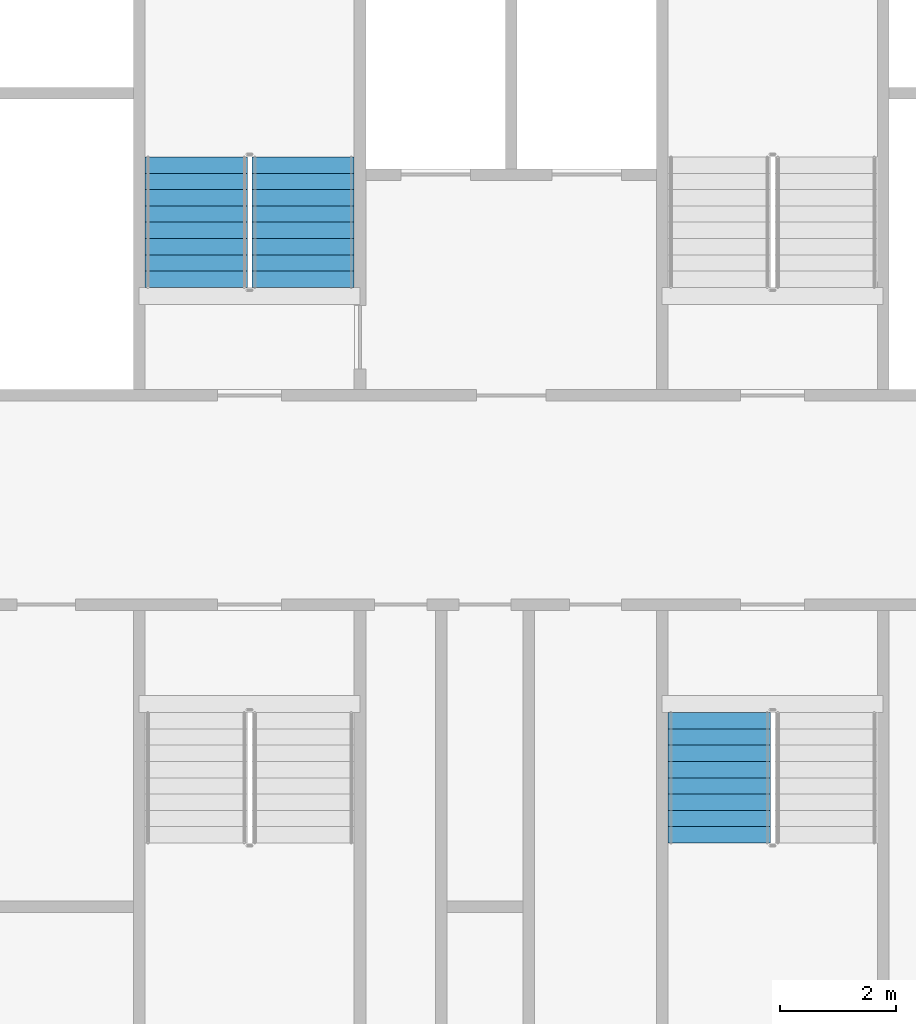
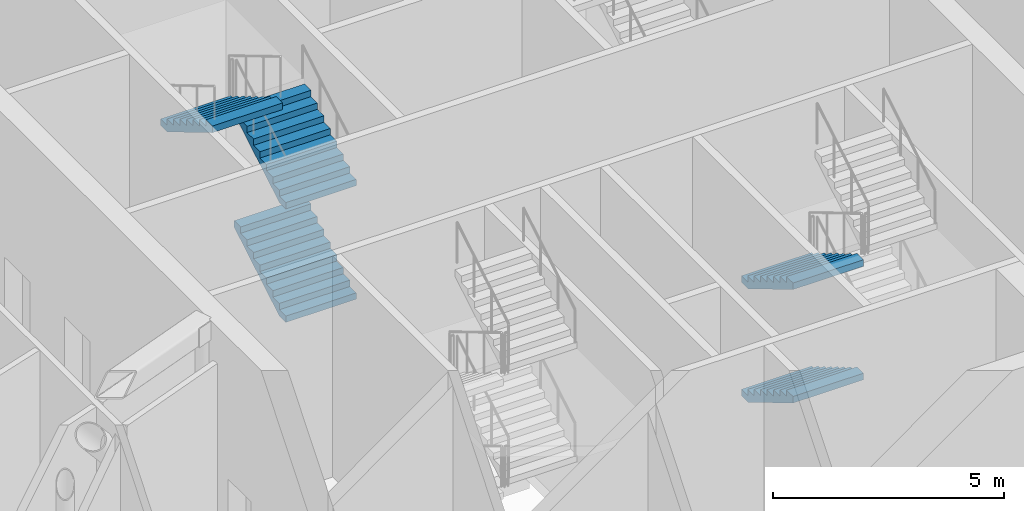
# One storey, part 26 of 40: 5 stair flights, 2 elements without a shape of their own.
"""IFC4 building model written with IfcOpenShell, lengths in metres."""

import ifcopenshell
import ifcopenshell.guid

model = None  # the IFC model being written
_history = None  # IfcOwnerHistory: only IFC2X3 demands one
_inside = {}  # id of a spatial element -> (the spatial element, [elements in it])
_under = {}  # id of a project, library or spatial element -> (it, [spatial elements below it])
_declared = {}  # id of a project -> (the project, [libraries it declares])
_typed = {}  # id of a type object -> (the type object, [elements of that type])
_made_of = {}  # id of a material, layer set ... -> (it, [elements and type objects made of it])


def new_model(schema):
    """Start an empty IFC model of exactly this schema.

    Asked for "IFC4X3", IfcOpenShell would pick the latest addendum, in which some entities
    have other attributes; the version numbers below select the first issue.
    IFC2X3 requires an IfcOwnerHistory on every rooted entity: one is made here for all.
    """
    global model, _history
    if schema == "IFC4X3":
        model = ifcopenshell.file(schema_version=(4, 3, 0, 0))
    else:
        model = ifcopenshell.file(schema=schema)
    _inside.clear()
    _under.clear()
    _declared.clear()
    _typed.clear()
    _made_of.clear()
    _history = None
    if model.schema == "IFC2X3":
        org = make("IfcOrganization", Name="unknown")
        user = make(
            "IfcPersonAndOrganization",
            ThePerson=make("IfcPerson", FamilyName="unknown"),
            TheOrganization=org,
        )
        app = make(
            "IfcApplication",
            ApplicationDeveloper=org,
            Version="unknown",
            ApplicationFullName="unknown",
            ApplicationIdentifier="unknown",
        )
        _history = make(
            "IfcOwnerHistory",
            OwningUser=user,
            OwningApplication=app,
            ChangeAction="ADDED",
            CreationDate=0,
        )
    return model


def make(cls, **values):
    """One entity of the class cls with the attributes given. An attribute that is None is left unset."""
    return model.create_entity(
        cls, **{name: value for name, value in values.items() if value is not None}
    )


def rooted(cls, **values):
    """An entity with a GlobalId (a new one), such as an element, a storey or a relation."""
    return make(cls, GlobalId=ifcopenshell.guid.new(), OwnerHistory=_history, **values)


def si_unit(unit_type, name, prefix=None):
    """IfcSIUnit, for example si_unit("LENGTHUNIT", "METRE", prefix="MILLI")."""
    return make("IfcSIUnit", UnitType=unit_type, Prefix=prefix, Name=name)


def assignment(units):
    """IfcUnitAssignment: the units of a project."""
    return None if units is None else make("IfcUnitAssignment", Units=units)


def point(xyz):
    """IfcCartesianPoint."""
    return None if xyz is None else make("IfcCartesianPoint", Coordinates=xyz)


def direction(xyz):
    """IfcDirection."""
    return None if xyz is None else make("IfcDirection", DirectionRatios=xyz)


def frame(location, z_axis=None, x_axis=None):
    """IfcAxis2Placement3D, a coordinate frame: its origin and axes. An axis left out is left unset."""
    return make(
        "IfcAxis2Placement3D",
        Location=point(location),
        Axis=direction(z_axis),
        RefDirection=direction(x_axis),
    )


def origin():
    """The frame at (0, 0, 0) with its axes left unset."""
    return frame((0.0, 0.0, 0.0))


def place(relative_to, where):
    """IfcLocalPlacement: puts the frame where relative to a parent placement (None: the world)."""
    return make(
        "IfcLocalPlacement", PlacementRelTo=relative_to, RelativePlacement=where
    )


def context(
    kind, dimensions, precision=None, world=None, true_north=None, identifier=None
):
    """IfcGeometricRepresentationContext, for example the 3D "Model" context."""
    return make(
        "IfcGeometricRepresentationContext",
        ContextIdentifier=identifier,
        ContextType=kind,
        CoordinateSpaceDimension=dimensions,
        Precision=precision,
        WorldCoordinateSystem=world,
        TrueNorth=true_north,
    )


def subcontext(parent, identifier, kind, view, scale=None):
    """IfcGeometricRepresentationSubContext, for example "Body" below "Model"."""
    return make(
        "IfcGeometricRepresentationSubContext",
        ContextIdentifier=identifier,
        ContextType=kind,
        ParentContext=parent,
        TargetScale=scale,
        TargetView=view,
    )


def project(units=None, contexts=None):
    """IfcProject with its units and contexts."""
    return rooted(
        "IfcProject",
        Name="project",
        RepresentationContexts=contexts,
        UnitsInContext=assignment(units),
    )


def spatial(cls, under=None, at=None, **own):
    """A site, building, storey or space (cls), placed at a placement, below another one or the project."""
    s = rooted(cls, ObjectPlacement=at, **own)
    if under is not None:
        _under.setdefault(under.id(), (under, []))[1].append(s)
    return s


def faces_of(points, faces, orient=None, outer=None):
    """IfcFace entities. A face is a list of loops; a loop is a list of indices into points, from 0.

    orient and outer hold one flag for each loop. By default every Orientation is true, the
    first loop of a face is its IfcFaceOuterBound and the others are IfcFaceBound.
    """
    made = []
    for i, loops in enumerate(faces):
        bounds = []
        for j, loop in enumerate(loops):
            is_outer = j == 0 if outer is None else outer[i][j]
            bounds.append(
                make(
                    "IfcFaceOuterBound" if is_outer else "IfcFaceBound",
                    Bound=make("IfcPolyLoop", Polygon=[points[k] for k in loop]),
                    Orientation=True if orient is None else orient[i][j],
                )
            )
        made.append(make("IfcFace", Bounds=bounds))
    return made


def faceted_brep(points, faces, orient=None, outer=None, voids=None):
    """IfcFacetedBrep: a solid bounded by flat faces; with voids (closed shells), ...WithVoids."""
    shared = [point(p) for p in points]
    hull = make("IfcClosedShell", CfsFaces=faces_of(shared, faces, orient, outer))
    if voids is None:
        return make("IfcFacetedBrep", Outer=hull)
    return make(
        "IfcFacetedBrepWithVoids",
        Outer=hull,
        Voids=[
            make(cls, CfsFaces=faces_of(shared, fs, o, b)) for cls, fs, o, b in voids
        ],
    )


def shape(context_of_items, identifier, shape_type, items):
    """IfcShapeRepresentation: the items that make up one representation, for example the "Body"."""
    return make(
        "IfcShapeRepresentation",
        ContextOfItems=context_of_items,
        RepresentationIdentifier=identifier,
        RepresentationType=shape_type,
        Items=items,
    )


def material(Name=None, Category=None):
    """IfcMaterial."""
    return make("IfcMaterial", Name=Name, Category=Category)


def made_of(thing, what):
    """Note that an element or type object is made of a material, layer set ...; save() writes the relation."""
    if what is not None:
        _made_of.setdefault(what.id(), (what, []))[1].append(thing)
    return thing


def type_object(cls, material=None, **own):
    """A type object (cls), such as IfcWallType, which elements share."""
    return made_of(rooted(cls, **own), material)


def element(
    cls,
    number,
    at=None,
    inside=None,
    cuts=None,
    type_object=None,
    material=None,
    context=None,
    identifier="Body",
    shape_type=None,
    held_by="IfcProductDefinitionShape",
    body=None,
    shapes=None,
    **own,
):
    """One element of the class cls, such as IfcWall. Its Tag is "e" and its number.

    at: its placement. inside: the storey or other place that contains it. cuts: it is an
    opening in that element (IfcRelVoidsElement). A single representation is given by context,
    identifier, shape_type and body (its items); several are given by shapes. held_by: the class
    of the entity that holds the representations. save() writes the other relations.
    """
    e = rooted(cls, Tag="e%d" % number, ObjectPlacement=at, **own)
    if body is not None:
        shapes = [shape(context, identifier, shape_type, body)]
    if shapes is not None:
        e.Representation = make(held_by, Representations=shapes)
    if inside is not None:
        _inside.setdefault(inside.id(), (inside, []))[1].append(e)
    if cuts is not None:
        rooted(
            "IfcRelVoidsElement", RelatingBuildingElement=cuts, RelatedOpeningElement=e
        )
    if type_object is not None:
        _typed.setdefault(type_object.id(), (type_object, []))[1].append(e)
    return made_of(e, material)


def aggregate(whole, parts):
    """IfcRelAggregates: a whole, such as a stair, and the parts it consists of."""
    return rooted("IfcRelAggregates", RelatingObject=whole, RelatedObjects=parts)


def save(model, path):
    """Write the relations noted so far, then the file.

    IfcRelAggregates (storeys below a building ...), IfcRelContainedInSpatialStructure (elements
    in a storey), IfcRelDefinesByType, IfcRelAssociatesMaterial and IfcRelDeclares: one each for
    every whole, place, type object, material and project.
    """
    for whole, parts in _under.values():
        aggregate(whole, parts)
    for where, things in _inside.values():
        rooted(
            "IfcRelContainedInSpatialStructure",
            RelatedElements=things,
            RelatingStructure=where,
        )
    for kind, things in _typed.values():
        rooted("IfcRelDefinesByType", RelatedObjects=things, RelatingType=kind)
    for what, things in _made_of.values():
        rooted("IfcRelAssociatesMaterial", RelatedObjects=things, RelatingMaterial=what)
    for by, libraries in _declared.values():
        rooted("IfcRelDeclares", RelatingContext=by, RelatedDefinitions=libraries)
    model.write(path)


model = new_model("IFC4")

# Units and contexts
model_context = context("Model", 3, precision=1e-05, world=origin(), true_north=direction((0.0, 1.0)))
body_context = subcontext(model_context, "Body", "Model", "MODEL_VIEW")
ifc_project = project(units=[si_unit("LENGTHUNIT", "METRE"), si_unit("AREAUNIT", "SQUARE_METRE"), si_unit("VOLUMEUNIT", "CUBIC_METRE"), si_unit("PLANEANGLEUNIT", "RADIAN"), si_unit("MASSUNIT", "GRAM", prefix="KILO")], contexts=[model_context])

# Site, building, storey
site_placement = place(None, origin())
site = spatial("IfcSite", under=ifc_project, at=site_placement, CompositionType="ELEMENT")
building_placement = place(site_placement, origin())
building = spatial("IfcBuilding", under=site, at=building_placement, Name="Tarsis Ring Headquarters", CompositionType="ELEMENT")
storey_placement = place(building_placement, frame((0.0, 0.0, 354.800048828125)))
storey = spatial("IfcBuildingStorey", under=building, at=storey_placement, Name="L84", CompositionType="ELEMENT", Elevation=354.800048828125)

# Stair, stair flights
ifc_material_1 = material(Name="Core stair 1760")
stair_type = type_object("IfcStairType", Name="Core stair 1760", PredefinedType="HALF_TURN_STAIR", material=ifc_material_1)
stair_1_placement = place(storey_placement, origin())
stair_1 = element("IfcStair", 1, at=stair_1_placement, inside=storey, type_object=stair_type, Name="L84 Firefighting stair", PredefinedType="HALF_TURN_STAIR")
ifc_material_2 = material(Name="Concrete C40/50", Category="concrete")
stair_flight_type = type_object("IfcStairFlightType", Name="Core stair flight 1760", PredefinedType="STRAIGHT", material=ifc_material_2)
stair_flight_1_placement = place(storey_placement, frame((-3.580078125, 3.659912109375, 0.0), z_axis=(0.0, 0.0, 1.0), x_axis=(0.0, 1.0, 0.0)))
stair_flight_1 = element("IfcStairFlight", 2, at=stair_flight_1_placement, type_object=stair_flight_type, Name="Stair ST1 flight 1", NumberOfRisers=9, NumberOfTreads=8, PredefinedType="STRAIGHT", RiserHeight=0.166666667, TreadLength=0.28, context=body_context, shape_type="Brep", body=[
    faceted_brep([(0.0, 0.8798828125, 0.0), (0.0, 0.8798828125, 0.166748046875), (0.280029296875, 0.8798828125, 0.166748046875), (0.280029296875, 0.8798828125, 0.333251953125), (0.56005859375, 0.8798828125, 0.333251953125), (0.56005859375, 0.8798828125, 0.5), (0.840087890625, 0.8798828125, 0.5), (0.840087890625, 0.8798828125, 0.666748046875), (1.1201171875, 0.8798828125, 0.666748046875), (1.1201171875, 0.8798828125, 0.833251953125), (1.39990234375, 0.8798828125, 0.833251953125), (1.39990234375, 0.8798828125, 1.0), (1.679931640625, 0.8798828125, 1.0), (1.679931640625, 0.8798828125, 1.166748046875), (1.9599609375, 0.8798828125, 1.166748046875), (1.9599609375, 0.8798828125, 1.333251953125), (2.239990234375, 0.8798828125, 1.333251953125), (2.239990234375, 0.8798828125, 1.158935546875), (0.29296875, 0.8798828125, 0.0), (0.29296875, -0.8798828125, 0.0), (2.239990234375, -0.8798828125, 1.158935546875), (2.239990234375, -0.8798828125, 1.333251953125), (1.9599609375, -0.8798828125, 1.333251953125), (1.9599609375, -0.8798828125, 1.166748046875), (1.679931640625, -0.8798828125, 1.166748046875), (1.679931640625, -0.8798828125, 1.0), (1.39990234375, -0.8798828125, 1.0), (1.39990234375, -0.8798828125, 0.833251953125), (1.1201171875, -0.8798828125, 0.833251953125), (1.1201171875, -0.8798828125, 0.666748046875), (0.840087890625, -0.8798828125, 0.666748046875), (0.840087890625, -0.8798828125, 0.5), (0.56005859375, -0.8798828125, 0.5), (0.56005859375, -0.8798828125, 0.333251953125), (0.280029296875, -0.8798828125, 0.333251953125), (0.280029296875, -0.8798828125, 0.166748046875), (0.0, -0.8798828125, 0.166748046875), (0.0, -0.8798828125, 0.0), (0.0, -0.43994140625, 0.166748046875), (0.0, -0.43994140625, 0.0), (0.0, 0.0, 0.166748046875), (0.0, 0.0, 0.0), (0.0, 0.43994140625, 0.166748046875), (0.0, 0.43994140625, 0.0), (0.280029296875, -0.43994140625, 0.166748046875), (0.280029296875, 0.0, 0.166748046875), (0.280029296875, 0.43994140625, 0.166748046875), (0.280029296875, -0.43994140625, 0.333251953125), (0.280029296875, 0.0, 0.333251953125), (0.280029296875, 0.43994140625, 0.333251953125), (0.56005859375, -0.43994140625, 0.333251953125), (0.56005859375, 0.0, 0.333251953125), (0.56005859375, 0.43994140625, 0.333251953125), (0.56005859375, -0.43994140625, 0.5), (0.56005859375, 0.0, 0.5), (0.56005859375, 0.43994140625, 0.5), (0.840087890625, -0.43994140625, 0.5), (0.840087890625, 0.0, 0.5), (0.840087890625, 0.43994140625, 0.5), (0.840087890625, -0.43994140625, 0.666748046875), (0.840087890625, 0.0, 0.666748046875), (0.840087890625, 0.43994140625, 0.666748046875), (1.1201171875, -0.43994140625, 0.666748046875), (1.1201171875, 0.0, 0.666748046875), (1.1201171875, 0.43994140625, 0.666748046875), (1.1201171875, -0.43994140625, 0.833251953125), (1.1201171875, 0.0, 0.833251953125), (1.1201171875, 0.43994140625, 0.833251953125), (1.39990234375, -0.43994140625, 0.833251953125), (1.39990234375, 0.0, 0.833251953125), (1.39990234375, 0.43994140625, 0.833251953125), (1.39990234375, -0.43994140625, 1.0), (1.39990234375, 0.0, 1.0), (1.39990234375, 0.43994140625, 1.0), (1.679931640625, -0.43994140625, 1.0), (1.679931640625, 0.0, 1.0), (1.679931640625, 0.43994140625, 1.0), (1.679931640625, -0.43994140625, 1.166748046875), (1.679931640625, 0.0, 1.166748046875), (1.679931640625, 0.43994140625, 1.166748046875), (1.9599609375, -0.43994140625, 1.166748046875), (1.9599609375, 0.0, 1.166748046875), (1.9599609375, 0.43994140625, 1.166748046875), (1.9599609375, -0.43994140625, 1.333251953125), (1.9599609375, 0.0, 1.333251953125), (1.9599609375, 0.43994140625, 1.333251953125), (2.239990234375, -0.43994140625, 1.333251953125), (2.239990234375, 0.0, 1.333251953125), (2.239990234375, 0.43994140625, 1.333251953125), (2.239990234375, -0.43994140625, 1.158935546875), (2.239990234375, 0.0, 1.158935546875), (2.239990234375, 0.43994140625, 1.158935546875), (0.29296875, -0.43994140625, 0.0), (0.29296875, 0.0, 0.0), (0.29296875, 0.43994140625, 0.0)], [[[0, 1, 2, 3, 4, 5, 6, 7, 8, 9, 10, 11, 12, 13, 14, 15, 16, 17, 18]], [[19, 20, 21, 22, 23, 24, 25, 26, 27, 28, 29, 30, 31, 32, 33, 34, 35, 36, 37]], [[37, 36, 38, 39]], [[39, 38, 40, 41]], [[41, 40, 42, 43]], [[43, 42, 1, 0]], [[36, 35, 44, 38]], [[38, 44, 45, 40]], [[40, 45, 46, 42]], [[42, 46, 2, 1]], [[35, 34, 47, 44]], [[44, 47, 48, 45]], [[45, 48, 49, 46]], [[46, 49, 3, 2]], [[34, 33, 50, 47]], [[47, 50, 51, 48]], [[48, 51, 52, 49]], [[49, 52, 4, 3]], [[33, 32, 53, 50]], [[50, 53, 54, 51]], [[51, 54, 55, 52]], [[52, 55, 5, 4]], [[32, 31, 56, 53]], [[53, 56, 57, 54]], [[54, 57, 58, 55]], [[55, 58, 6, 5]], [[31, 30, 59, 56]], [[56, 59, 60, 57]], [[57, 60, 61, 58]], [[58, 61, 7, 6]], [[30, 29, 62, 59]], [[59, 62, 63, 60]], [[60, 63, 64, 61]], [[61, 64, 8, 7]], [[29, 28, 65, 62]], [[62, 65, 66, 63]], [[63, 66, 67, 64]], [[64, 67, 9, 8]], [[28, 27, 68, 65]], [[65, 68, 69, 66]], [[66, 69, 70, 67]], [[67, 70, 10, 9]], [[27, 26, 71, 68]], [[68, 71, 72, 69]], [[69, 72, 73, 70]], [[70, 73, 11, 10]], [[26, 25, 74, 71]], [[71, 74, 75, 72]], [[72, 75, 76, 73]], [[73, 76, 12, 11]], [[25, 24, 77, 74]], [[74, 77, 78, 75]], [[75, 78, 79, 76]], [[76, 79, 13, 12]], [[24, 23, 80, 77]], [[77, 80, 81, 78]], [[78, 81, 82, 79]], [[79, 82, 14, 13]], [[23, 22, 83, 80]], [[80, 83, 84, 81]], [[81, 84, 85, 82]], [[82, 85, 15, 14]], [[22, 21, 86, 83]], [[83, 86, 87, 84]], [[84, 87, 88, 85]], [[85, 88, 16, 15]], [[21, 20, 89, 86]], [[86, 89, 90, 87]], [[87, 90, 91, 88]], [[88, 91, 17, 16]], [[20, 19, 92, 89]], [[89, 92, 93, 90]], [[90, 93, 94, 91]], [[91, 94, 18, 17]], [[19, 37, 39, 92]], [[92, 39, 41, 93]], [[93, 41, 43, 94]], [[94, 43, 0, 18]]]),
])
stair_flight_2_placement = place(storey_placement, frame((-3.580078125, 3.659912109375, 3.0), z_axis=(0.0, 0.0, 1.0), x_axis=(0.0, 1.0, 0.0)))
stair_flight_2 = element("IfcStairFlight", 3, at=stair_flight_2_placement, type_object=stair_flight_type, Name="Stair ST1 flight 3", NumberOfRisers=9, NumberOfTreads=8, PredefinedType="STRAIGHT", RiserHeight=0.166666667, TreadLength=0.28, context=body_context, shape_type="Brep", body=[
    faceted_brep([(0.0, 0.8798828125, 0.0), (0.0, 0.8798828125, 0.166748046875), (0.280029296875, 0.8798828125, 0.166748046875), (0.280029296875, 0.8798828125, 0.333251953125), (0.56005859375, 0.8798828125, 0.333251953125), (0.56005859375, 0.8798828125, 0.5), (0.840087890625, 0.8798828125, 0.5), (0.840087890625, 0.8798828125, 0.666748046875), (1.1201171875, 0.8798828125, 0.666748046875), (1.1201171875, 0.8798828125, 0.833251953125), (1.39990234375, 0.8798828125, 0.833251953125), (1.39990234375, 0.8798828125, 1.0), (1.679931640625, 0.8798828125, 1.0), (1.679931640625, 0.8798828125, 1.166748046875), (1.9599609375, 0.8798828125, 1.166748046875), (1.9599609375, 0.8798828125, 1.333251953125), (2.239990234375, 0.8798828125, 1.333251953125), (2.239990234375, 0.8798828125, 1.158935546875), (0.29296875, 0.8798828125, 0.0), (0.29296875, -0.8798828125, 0.0), (2.239990234375, -0.8798828125, 1.158935546875), (2.239990234375, -0.8798828125, 1.333251953125), (1.9599609375, -0.8798828125, 1.333251953125), (1.9599609375, -0.8798828125, 1.166748046875), (1.679931640625, -0.8798828125, 1.166748046875), (1.679931640625, -0.8798828125, 1.0), (1.39990234375, -0.8798828125, 1.0), (1.39990234375, -0.8798828125, 0.833251953125), (1.1201171875, -0.8798828125, 0.833251953125), (1.1201171875, -0.8798828125, 0.666748046875), (0.840087890625, -0.8798828125, 0.666748046875), (0.840087890625, -0.8798828125, 0.5), (0.56005859375, -0.8798828125, 0.5), (0.56005859375, -0.8798828125, 0.333251953125), (0.280029296875, -0.8798828125, 0.333251953125), (0.280029296875, -0.8798828125, 0.166748046875), (0.0, -0.8798828125, 0.166748046875), (0.0, -0.8798828125, 0.0), (0.0, -0.43994140625, 0.166748046875), (0.0, -0.43994140625, 0.0), (0.0, 0.0, 0.166748046875), (0.0, 0.0, 0.0), (0.0, 0.43994140625, 0.166748046875), (0.0, 0.43994140625, 0.0), (0.280029296875, -0.43994140625, 0.166748046875), (0.280029296875, 0.0, 0.166748046875), (0.280029296875, 0.43994140625, 0.166748046875), (0.280029296875, -0.43994140625, 0.333251953125), (0.280029296875, 0.0, 0.333251953125), (0.280029296875, 0.43994140625, 0.333251953125), (0.56005859375, -0.43994140625, 0.333251953125), (0.56005859375, 0.0, 0.333251953125), (0.56005859375, 0.43994140625, 0.333251953125), (0.56005859375, -0.43994140625, 0.5), (0.56005859375, 0.0, 0.5), (0.56005859375, 0.43994140625, 0.5), (0.840087890625, -0.43994140625, 0.5), (0.840087890625, 0.0, 0.5), (0.840087890625, 0.43994140625, 0.5), (0.840087890625, -0.43994140625, 0.666748046875), (0.840087890625, 0.0, 0.666748046875), (0.840087890625, 0.43994140625, 0.666748046875), (1.1201171875, -0.43994140625, 0.666748046875), (1.1201171875, 0.0, 0.666748046875), (1.1201171875, 0.43994140625, 0.666748046875), (1.1201171875, -0.43994140625, 0.833251953125), (1.1201171875, 0.0, 0.833251953125), (1.1201171875, 0.43994140625, 0.833251953125), (1.39990234375, -0.43994140625, 0.833251953125), (1.39990234375, 0.0, 0.833251953125), (1.39990234375, 0.43994140625, 0.833251953125), (1.39990234375, -0.43994140625, 1.0), (1.39990234375, 0.0, 1.0), (1.39990234375, 0.43994140625, 1.0), (1.679931640625, -0.43994140625, 1.0), (1.679931640625, 0.0, 1.0), (1.679931640625, 0.43994140625, 1.0), (1.679931640625, -0.43994140625, 1.166748046875), (1.679931640625, 0.0, 1.166748046875), (1.679931640625, 0.43994140625, 1.166748046875), (1.9599609375, -0.43994140625, 1.166748046875), (1.9599609375, 0.0, 1.166748046875), (1.9599609375, 0.43994140625, 1.166748046875), (1.9599609375, -0.43994140625, 1.333251953125), (1.9599609375, 0.0, 1.333251953125), (1.9599609375, 0.43994140625, 1.333251953125), (2.239990234375, -0.43994140625, 1.333251953125), (2.239990234375, 0.0, 1.333251953125), (2.239990234375, 0.43994140625, 1.333251953125), (2.239990234375, -0.43994140625, 1.158935546875), (2.239990234375, 0.0, 1.158935546875), (2.239990234375, 0.43994140625, 1.158935546875), (0.29296875, -0.43994140625, 0.0), (0.29296875, 0.0, 0.0), (0.29296875, 0.43994140625, 0.0)], [[[0, 1, 2, 3, 4, 5, 6, 7, 8, 9, 10, 11, 12, 13, 14, 15, 16, 17, 18]], [[19, 20, 21, 22, 23, 24, 25, 26, 27, 28, 29, 30, 31, 32, 33, 34, 35, 36, 37]], [[37, 36, 38, 39]], [[39, 38, 40, 41]], [[41, 40, 42, 43]], [[43, 42, 1, 0]], [[36, 35, 44, 38]], [[38, 44, 45, 40]], [[40, 45, 46, 42]], [[42, 46, 2, 1]], [[35, 34, 47, 44]], [[44, 47, 48, 45]], [[45, 48, 49, 46]], [[46, 49, 3, 2]], [[34, 33, 50, 47]], [[47, 50, 51, 48]], [[48, 51, 52, 49]], [[49, 52, 4, 3]], [[33, 32, 53, 50]], [[50, 53, 54, 51]], [[51, 54, 55, 52]], [[52, 55, 5, 4]], [[32, 31, 56, 53]], [[53, 56, 57, 54]], [[54, 57, 58, 55]], [[55, 58, 6, 5]], [[31, 30, 59, 56]], [[56, 59, 60, 57]], [[57, 60, 61, 58]], [[58, 61, 7, 6]], [[30, 29, 62, 59]], [[59, 62, 63, 60]], [[60, 63, 64, 61]], [[61, 64, 8, 7]], [[29, 28, 65, 62]], [[62, 65, 66, 63]], [[63, 66, 67, 64]], [[64, 67, 9, 8]], [[28, 27, 68, 65]], [[65, 68, 69, 66]], [[66, 69, 70, 67]], [[67, 70, 10, 9]], [[27, 26, 71, 68]], [[68, 71, 72, 69]], [[69, 72, 73, 70]], [[70, 73, 11, 10]], [[26, 25, 74, 71]], [[71, 74, 75, 72]], [[72, 75, 76, 73]], [[73, 76, 12, 11]], [[25, 24, 77, 74]], [[74, 77, 78, 75]], [[75, 78, 79, 76]], [[76, 79, 13, 12]], [[24, 23, 80, 77]], [[77, 80, 81, 78]], [[78, 81, 82, 79]], [[79, 82, 14, 13]], [[23, 22, 83, 80]], [[80, 83, 84, 81]], [[81, 84, 85, 82]], [[82, 85, 15, 14]], [[22, 21, 86, 83]], [[83, 86, 87, 84]], [[84, 87, 88, 85]], [[85, 88, 16, 15]], [[21, 20, 89, 86]], [[86, 89, 90, 87]], [[87, 90, 91, 88]], [[88, 91, 17, 16]], [[20, 19, 92, 89]], [[89, 92, 93, 90]], [[90, 93, 94, 91]], [[91, 94, 18, 17]], [[19, 37, 39, 92]], [[92, 39, 41, 93]], [[93, 41, 43, 94]], [[94, 43, 0, 18]]]),
])
stair_flight_3_placement = place(storey_placement, frame((-5.419921875, 5.89990234375, 4.5), z_axis=(0.0, 0.0, 1.0), x_axis=(0.0, -1.0, 0.0)))
stair_flight_3 = element("IfcStairFlight", 4, at=stair_flight_3_placement, type_object=stair_flight_type, Name="Stair ST1 flight 4", NumberOfRisers=9, NumberOfTreads=8, PredefinedType="STRAIGHT", RiserHeight=0.166666667, TreadLength=0.28, context=body_context, shape_type="Brep", body=[
    faceted_brep([(0.0, 0.8798828125, 0.0), (0.0, 0.8798828125, 0.166748046875), (0.280029296875, 0.8798828125, 0.166748046875), (0.280029296875, 0.8798828125, 0.333251953125), (0.56005859375, 0.8798828125, 0.333251953125), (0.56005859375, 0.8798828125, 0.5), (0.840087890625, 0.8798828125, 0.5), (0.840087890625, 0.8798828125, 0.666748046875), (1.1201171875, 0.8798828125, 0.666748046875), (1.1201171875, 0.8798828125, 0.833251953125), (1.39990234375, 0.8798828125, 0.833251953125), (1.39990234375, 0.8798828125, 1.0), (1.679931640625, 0.8798828125, 1.0), (1.679931640625, 0.8798828125, 1.166748046875), (1.9599609375, 0.8798828125, 1.166748046875), (1.9599609375, 0.8798828125, 1.333251953125), (2.239990234375, 0.8798828125, 1.333251953125), (2.239990234375, 0.8798828125, 1.158935546875), (0.29296875, 0.8798828125, 0.0), (0.29296875, -0.8798828125, 0.0), (2.239990234375, -0.8798828125, 1.158935546875), (2.239990234375, -0.8798828125, 1.333251953125), (1.9599609375, -0.8798828125, 1.333251953125), (1.9599609375, -0.8798828125, 1.166748046875), (1.679931640625, -0.8798828125, 1.166748046875), (1.679931640625, -0.8798828125, 1.0), (1.39990234375, -0.8798828125, 1.0), (1.39990234375, -0.8798828125, 0.833251953125), (1.1201171875, -0.8798828125, 0.833251953125), (1.1201171875, -0.8798828125, 0.666748046875), (0.840087890625, -0.8798828125, 0.666748046875), (0.840087890625, -0.8798828125, 0.5), (0.56005859375, -0.8798828125, 0.5), (0.56005859375, -0.8798828125, 0.333251953125), (0.280029296875, -0.8798828125, 0.333251953125), (0.280029296875, -0.8798828125, 0.166748046875), (0.0, -0.8798828125, 0.166748046875), (0.0, -0.8798828125, 0.0), (0.0, -0.43994140625, 0.166748046875), (0.0, -0.43994140625, 0.0), (0.0, 0.0, 0.166748046875), (0.0, 0.0, 0.0), (0.0, 0.43994140625, 0.166748046875), (0.0, 0.43994140625, 0.0), (0.280029296875, -0.43994140625, 0.166748046875), (0.280029296875, 0.0, 0.166748046875), (0.280029296875, 0.43994140625, 0.166748046875), (0.280029296875, -0.43994140625, 0.333251953125), (0.280029296875, 0.0, 0.333251953125), (0.280029296875, 0.43994140625, 0.333251953125), (0.56005859375, -0.43994140625, 0.333251953125), (0.56005859375, 0.0, 0.333251953125), (0.56005859375, 0.43994140625, 0.333251953125), (0.56005859375, -0.43994140625, 0.5), (0.56005859375, 0.0, 0.5), (0.56005859375, 0.43994140625, 0.5), (0.840087890625, -0.43994140625, 0.5), (0.840087890625, 0.0, 0.5), (0.840087890625, 0.43994140625, 0.5), (0.840087890625, -0.43994140625, 0.666748046875), (0.840087890625, 0.0, 0.666748046875), (0.840087890625, 0.43994140625, 0.666748046875), (1.1201171875, -0.43994140625, 0.666748046875), (1.1201171875, 0.0, 0.666748046875), (1.1201171875, 0.43994140625, 0.666748046875), (1.1201171875, -0.43994140625, 0.833251953125), (1.1201171875, 0.0, 0.833251953125), (1.1201171875, 0.43994140625, 0.833251953125), (1.39990234375, -0.43994140625, 0.833251953125), (1.39990234375, 0.0, 0.833251953125), (1.39990234375, 0.43994140625, 0.833251953125), (1.39990234375, -0.43994140625, 1.0), (1.39990234375, 0.0, 1.0), (1.39990234375, 0.43994140625, 1.0), (1.679931640625, -0.43994140625, 1.0), (1.679931640625, 0.0, 1.0), (1.679931640625, 0.43994140625, 1.0), (1.679931640625, -0.43994140625, 1.166748046875), (1.679931640625, 0.0, 1.166748046875), (1.679931640625, 0.43994140625, 1.166748046875), (1.9599609375, -0.43994140625, 1.166748046875), (1.9599609375, 0.0, 1.166748046875), (1.9599609375, 0.43994140625, 1.166748046875), (1.9599609375, -0.43994140625, 1.333251953125), (1.9599609375, 0.0, 1.333251953125), (1.9599609375, 0.43994140625, 1.333251953125), (2.239990234375, -0.43994140625, 1.333251953125), (2.239990234375, 0.0, 1.333251953125), (2.239990234375, 0.43994140625, 1.333251953125), (2.239990234375, -0.43994140625, 1.158935546875), (2.239990234375, 0.0, 1.158935546875), (2.239990234375, 0.43994140625, 1.158935546875), (0.29296875, -0.43994140625, 0.0), (0.29296875, 0.0, 0.0), (0.29296875, 0.43994140625, 0.0)], [[[0, 1, 2, 3, 4, 5, 6, 7, 8, 9, 10, 11, 12, 13, 14, 15, 16, 17, 18]], [[19, 20, 21, 22, 23, 24, 25, 26, 27, 28, 29, 30, 31, 32, 33, 34, 35, 36, 37]], [[37, 36, 38, 39]], [[39, 38, 40, 41]], [[41, 40, 42, 43]], [[43, 42, 1, 0]], [[36, 35, 44, 38]], [[38, 44, 45, 40]], [[40, 45, 46, 42]], [[42, 46, 2, 1]], [[35, 34, 47, 44]], [[44, 47, 48, 45]], [[45, 48, 49, 46]], [[46, 49, 3, 2]], [[34, 33, 50, 47]], [[47, 50, 51, 48]], [[48, 51, 52, 49]], [[49, 52, 4, 3]], [[33, 32, 53, 50]], [[50, 53, 54, 51]], [[51, 54, 55, 52]], [[52, 55, 5, 4]], [[32, 31, 56, 53]], [[53, 56, 57, 54]], [[54, 57, 58, 55]], [[55, 58, 6, 5]], [[31, 30, 59, 56]], [[56, 59, 60, 57]], [[57, 60, 61, 58]], [[58, 61, 7, 6]], [[30, 29, 62, 59]], [[59, 62, 63, 60]], [[60, 63, 64, 61]], [[61, 64, 8, 7]], [[29, 28, 65, 62]], [[62, 65, 66, 63]], [[63, 66, 67, 64]], [[64, 67, 9, 8]], [[28, 27, 68, 65]], [[65, 68, 69, 66]], [[66, 69, 70, 67]], [[67, 70, 10, 9]], [[27, 26, 71, 68]], [[68, 71, 72, 69]], [[69, 72, 73, 70]], [[70, 73, 11, 10]], [[26, 25, 74, 71]], [[71, 74, 75, 72]], [[72, 75, 76, 73]], [[73, 76, 12, 11]], [[25, 24, 77, 74]], [[74, 77, 78, 75]], [[75, 78, 79, 76]], [[76, 79, 13, 12]], [[24, 23, 80, 77]], [[77, 80, 81, 78]], [[78, 81, 82, 79]], [[79, 82, 14, 13]], [[23, 22, 83, 80]], [[80, 83, 84, 81]], [[81, 84, 85, 82]], [[82, 85, 15, 14]], [[22, 21, 86, 83]], [[83, 86, 87, 84]], [[84, 87, 88, 85]], [[85, 88, 16, 15]], [[21, 20, 89, 86]], [[86, 89, 90, 87]], [[87, 90, 91, 88]], [[88, 91, 17, 16]], [[20, 19, 92, 89]], [[89, 92, 93, 90]], [[90, 93, 94, 91]], [[91, 94, 18, 17]], [[19, 37, 39, 92]], [[92, 39, 41, 93]], [[93, 41, 43, 94]], [[94, 43, 0, 18]]]),
])
aggregate(stair_1, [stair_flight_1, stair_flight_2, stair_flight_3])

stair_2_placement = place(storey_placement, origin())
stair_2 = element("IfcStair", 5, at=stair_2_placement, inside=storey, type_object=stair_type, Name="L84 Exit stair D", PredefinedType="HALF_TURN_STAIR")
stair_flight_4_placement = place(storey_placement, frame((3.580078125, -3.659912109375, 0.0), z_axis=(0.0, 0.0, 1.0), x_axis=(0.0, -1.0, 0.0)))
stair_flight_4 = element("IfcStairFlight", 6, at=stair_flight_4_placement, type_object=stair_flight_type, Name="Stair ST4 flight 1", NumberOfRisers=9, NumberOfTreads=8, PredefinedType="STRAIGHT", RiserHeight=0.166666667, TreadLength=0.28, context=body_context, shape_type="Brep", body=[
    faceted_brep([(0.0, 0.8798828125, 0.0), (0.0, 0.8798828125, 0.166748046875), (0.280029296875, 0.8798828125, 0.166748046875), (0.280029296875, 0.8798828125, 0.333251953125), (0.56005859375, 0.8798828125, 0.333251953125), (0.56005859375, 0.8798828125, 0.5), (0.840087890625, 0.8798828125, 0.5), (0.840087890625, 0.8798828125, 0.666748046875), (1.1201171875, 0.8798828125, 0.666748046875), (1.1201171875, 0.8798828125, 0.833251953125), (1.39990234375, 0.8798828125, 0.833251953125), (1.39990234375, 0.8798828125, 1.0), (1.679931640625, 0.8798828125, 1.0), (1.679931640625, 0.8798828125, 1.166748046875), (1.9599609375, 0.8798828125, 1.166748046875), (1.9599609375, 0.8798828125, 1.333251953125), (2.239990234375, 0.8798828125, 1.333251953125), (2.239990234375, 0.8798828125, 1.158935546875), (0.29296875, 0.8798828125, 0.0), (0.29296875, -0.8798828125, 0.0), (2.239990234375, -0.8798828125, 1.158935546875), (2.239990234375, -0.8798828125, 1.333251953125), (1.9599609375, -0.8798828125, 1.333251953125), (1.9599609375, -0.8798828125, 1.166748046875), (1.679931640625, -0.8798828125, 1.166748046875), (1.679931640625, -0.8798828125, 1.0), (1.39990234375, -0.8798828125, 1.0), (1.39990234375, -0.8798828125, 0.833251953125), (1.1201171875, -0.8798828125, 0.833251953125), (1.1201171875, -0.8798828125, 0.666748046875), (0.840087890625, -0.8798828125, 0.666748046875), (0.840087890625, -0.8798828125, 0.5), (0.56005859375, -0.8798828125, 0.5), (0.56005859375, -0.8798828125, 0.333251953125), (0.280029296875, -0.8798828125, 0.333251953125), (0.280029296875, -0.8798828125, 0.166748046875), (0.0, -0.8798828125, 0.166748046875), (0.0, -0.8798828125, 0.0), (0.0, -0.43994140625, 0.166748046875), (0.0, -0.43994140625, 0.0), (0.0, 0.0, 0.166748046875), (0.0, 0.0, 0.0), (0.0, 0.43994140625, 0.166748046875), (0.0, 0.43994140625, 0.0), (0.280029296875, -0.43994140625, 0.166748046875), (0.280029296875, 0.0, 0.166748046875), (0.280029296875, 0.43994140625, 0.166748046875), (0.280029296875, -0.43994140625, 0.333251953125), (0.280029296875, 0.0, 0.333251953125), (0.280029296875, 0.43994140625, 0.333251953125), (0.56005859375, -0.43994140625, 0.333251953125), (0.56005859375, 0.0, 0.333251953125), (0.56005859375, 0.43994140625, 0.333251953125), (0.56005859375, -0.43994140625, 0.5), (0.56005859375, 0.0, 0.5), (0.56005859375, 0.43994140625, 0.5), (0.840087890625, -0.43994140625, 0.5), (0.840087890625, 0.0, 0.5), (0.840087890625, 0.43994140625, 0.5), (0.840087890625, -0.43994140625, 0.666748046875), (0.840087890625, 0.0, 0.666748046875), (0.840087890625, 0.43994140625, 0.666748046875), (1.1201171875, -0.43994140625, 0.666748046875), (1.1201171875, 0.0, 0.666748046875), (1.1201171875, 0.43994140625, 0.666748046875), (1.1201171875, -0.43994140625, 0.833251953125), (1.1201171875, 0.0, 0.833251953125), (1.1201171875, 0.43994140625, 0.833251953125), (1.39990234375, -0.43994140625, 0.833251953125), (1.39990234375, 0.0, 0.833251953125), (1.39990234375, 0.43994140625, 0.833251953125), (1.39990234375, -0.43994140625, 1.0), (1.39990234375, 0.0, 1.0), (1.39990234375, 0.43994140625, 1.0), (1.679931640625, -0.43994140625, 1.0), (1.679931640625, 0.0, 1.0), (1.679931640625, 0.43994140625, 1.0), (1.679931640625, -0.43994140625, 1.166748046875), (1.679931640625, 0.0, 1.166748046875), (1.679931640625, 0.43994140625, 1.166748046875), (1.9599609375, -0.43994140625, 1.166748046875), (1.9599609375, 0.0, 1.166748046875), (1.9599609375, 0.43994140625, 1.166748046875), (1.9599609375, -0.43994140625, 1.333251953125), (1.9599609375, 0.0, 1.333251953125), (1.9599609375, 0.43994140625, 1.333251953125), (2.239990234375, -0.43994140625, 1.333251953125), (2.239990234375, 0.0, 1.333251953125), (2.239990234375, 0.43994140625, 1.333251953125), (2.239990234375, -0.43994140625, 1.158935546875), (2.239990234375, 0.0, 1.158935546875), (2.239990234375, 0.43994140625, 1.158935546875), (0.29296875, -0.43994140625, 0.0), (0.29296875, 0.0, 0.0), (0.29296875, 0.43994140625, 0.0)], [[[0, 1, 2, 3, 4, 5, 6, 7, 8, 9, 10, 11, 12, 13, 14, 15, 16, 17, 18]], [[19, 20, 21, 22, 23, 24, 25, 26, 27, 28, 29, 30, 31, 32, 33, 34, 35, 36, 37]], [[37, 36, 38, 39]], [[39, 38, 40, 41]], [[41, 40, 42, 43]], [[43, 42, 1, 0]], [[36, 35, 44, 38]], [[38, 44, 45, 40]], [[40, 45, 46, 42]], [[42, 46, 2, 1]], [[35, 34, 47, 44]], [[44, 47, 48, 45]], [[45, 48, 49, 46]], [[46, 49, 3, 2]], [[34, 33, 50, 47]], [[47, 50, 51, 48]], [[48, 51, 52, 49]], [[49, 52, 4, 3]], [[33, 32, 53, 50]], [[50, 53, 54, 51]], [[51, 54, 55, 52]], [[52, 55, 5, 4]], [[32, 31, 56, 53]], [[53, 56, 57, 54]], [[54, 57, 58, 55]], [[55, 58, 6, 5]], [[31, 30, 59, 56]], [[56, 59, 60, 57]], [[57, 60, 61, 58]], [[58, 61, 7, 6]], [[30, 29, 62, 59]], [[59, 62, 63, 60]], [[60, 63, 64, 61]], [[61, 64, 8, 7]], [[29, 28, 65, 62]], [[62, 65, 66, 63]], [[63, 66, 67, 64]], [[64, 67, 9, 8]], [[28, 27, 68, 65]], [[65, 68, 69, 66]], [[66, 69, 70, 67]], [[67, 70, 10, 9]], [[27, 26, 71, 68]], [[68, 71, 72, 69]], [[69, 72, 73, 70]], [[70, 73, 11, 10]], [[26, 25, 74, 71]], [[71, 74, 75, 72]], [[72, 75, 76, 73]], [[73, 76, 12, 11]], [[25, 24, 77, 74]], [[74, 77, 78, 75]], [[75, 78, 79, 76]], [[76, 79, 13, 12]], [[24, 23, 80, 77]], [[77, 80, 81, 78]], [[78, 81, 82, 79]], [[79, 82, 14, 13]], [[23, 22, 83, 80]], [[80, 83, 84, 81]], [[81, 84, 85, 82]], [[82, 85, 15, 14]], [[22, 21, 86, 83]], [[83, 86, 87, 84]], [[84, 87, 88, 85]], [[85, 88, 16, 15]], [[21, 20, 89, 86]], [[86, 89, 90, 87]], [[87, 90, 91, 88]], [[88, 91, 17, 16]], [[20, 19, 92, 89]], [[89, 92, 93, 90]], [[90, 93, 94, 91]], [[91, 94, 18, 17]], [[19, 37, 39, 92]], [[92, 39, 41, 93]], [[93, 41, 43, 94]], [[94, 43, 0, 18]]]),
])
stair_flight_5_placement = place(storey_placement, frame((3.580078125, -3.659912109375, 3.0), z_axis=(0.0, 0.0, 1.0), x_axis=(0.0, -1.0, 0.0)))
stair_flight_5 = element("IfcStairFlight", 7, at=stair_flight_5_placement, type_object=stair_flight_type, Name="Stair ST4 flight 3", NumberOfRisers=9, NumberOfTreads=8, PredefinedType="STRAIGHT", RiserHeight=0.166666667, TreadLength=0.28, context=body_context, shape_type="Brep", body=[
    faceted_brep([(0.0, 0.8798828125, 0.0), (0.0, 0.8798828125, 0.166748046875), (0.280029296875, 0.8798828125, 0.166748046875), (0.280029296875, 0.8798828125, 0.333251953125), (0.56005859375, 0.8798828125, 0.333251953125), (0.56005859375, 0.8798828125, 0.5), (0.840087890625, 0.8798828125, 0.5), (0.840087890625, 0.8798828125, 0.666748046875), (1.1201171875, 0.8798828125, 0.666748046875), (1.1201171875, 0.8798828125, 0.833251953125), (1.39990234375, 0.8798828125, 0.833251953125), (1.39990234375, 0.8798828125, 1.0), (1.679931640625, 0.8798828125, 1.0), (1.679931640625, 0.8798828125, 1.166748046875), (1.9599609375, 0.8798828125, 1.166748046875), (1.9599609375, 0.8798828125, 1.333251953125), (2.239990234375, 0.8798828125, 1.333251953125), (2.239990234375, 0.8798828125, 1.158935546875), (0.29296875, 0.8798828125, 0.0), (0.29296875, -0.8798828125, 0.0), (2.239990234375, -0.8798828125, 1.158935546875), (2.239990234375, -0.8798828125, 1.333251953125), (1.9599609375, -0.8798828125, 1.333251953125), (1.9599609375, -0.8798828125, 1.166748046875), (1.679931640625, -0.8798828125, 1.166748046875), (1.679931640625, -0.8798828125, 1.0), (1.39990234375, -0.8798828125, 1.0), (1.39990234375, -0.8798828125, 0.833251953125), (1.1201171875, -0.8798828125, 0.833251953125), (1.1201171875, -0.8798828125, 0.666748046875), (0.840087890625, -0.8798828125, 0.666748046875), (0.840087890625, -0.8798828125, 0.5), (0.56005859375, -0.8798828125, 0.5), (0.56005859375, -0.8798828125, 0.333251953125), (0.280029296875, -0.8798828125, 0.333251953125), (0.280029296875, -0.8798828125, 0.166748046875), (0.0, -0.8798828125, 0.166748046875), (0.0, -0.8798828125, 0.0), (0.0, -0.43994140625, 0.166748046875), (0.0, -0.43994140625, 0.0), (0.0, 0.0, 0.166748046875), (0.0, 0.0, 0.0), (0.0, 0.43994140625, 0.166748046875), (0.0, 0.43994140625, 0.0), (0.280029296875, -0.43994140625, 0.166748046875), (0.280029296875, 0.0, 0.166748046875), (0.280029296875, 0.43994140625, 0.166748046875), (0.280029296875, -0.43994140625, 0.333251953125), (0.280029296875, 0.0, 0.333251953125), (0.280029296875, 0.43994140625, 0.333251953125), (0.56005859375, -0.43994140625, 0.333251953125), (0.56005859375, 0.0, 0.333251953125), (0.56005859375, 0.43994140625, 0.333251953125), (0.56005859375, -0.43994140625, 0.5), (0.56005859375, 0.0, 0.5), (0.56005859375, 0.43994140625, 0.5), (0.840087890625, -0.43994140625, 0.5), (0.840087890625, 0.0, 0.5), (0.840087890625, 0.43994140625, 0.5), (0.840087890625, -0.43994140625, 0.666748046875), (0.840087890625, 0.0, 0.666748046875), (0.840087890625, 0.43994140625, 0.666748046875), (1.1201171875, -0.43994140625, 0.666748046875), (1.1201171875, 0.0, 0.666748046875), (1.1201171875, 0.43994140625, 0.666748046875), (1.1201171875, -0.43994140625, 0.833251953125), (1.1201171875, 0.0, 0.833251953125), (1.1201171875, 0.43994140625, 0.833251953125), (1.39990234375, -0.43994140625, 0.833251953125), (1.39990234375, 0.0, 0.833251953125), (1.39990234375, 0.43994140625, 0.833251953125), (1.39990234375, -0.43994140625, 1.0), (1.39990234375, 0.0, 1.0), (1.39990234375, 0.43994140625, 1.0), (1.679931640625, -0.43994140625, 1.0), (1.679931640625, 0.0, 1.0), (1.679931640625, 0.43994140625, 1.0), (1.679931640625, -0.43994140625, 1.166748046875), (1.679931640625, 0.0, 1.166748046875), (1.679931640625, 0.43994140625, 1.166748046875), (1.9599609375, -0.43994140625, 1.166748046875), (1.9599609375, 0.0, 1.166748046875), (1.9599609375, 0.43994140625, 1.166748046875), (1.9599609375, -0.43994140625, 1.333251953125), (1.9599609375, 0.0, 1.333251953125), (1.9599609375, 0.43994140625, 1.333251953125), (2.239990234375, -0.43994140625, 1.333251953125), (2.239990234375, 0.0, 1.333251953125), (2.239990234375, 0.43994140625, 1.333251953125), (2.239990234375, -0.43994140625, 1.158935546875), (2.239990234375, 0.0, 1.158935546875), (2.239990234375, 0.43994140625, 1.158935546875), (0.29296875, -0.43994140625, 0.0), (0.29296875, 0.0, 0.0), (0.29296875, 0.43994140625, 0.0)], [[[0, 1, 2, 3, 4, 5, 6, 7, 8, 9, 10, 11, 12, 13, 14, 15, 16, 17, 18]], [[19, 20, 21, 22, 23, 24, 25, 26, 27, 28, 29, 30, 31, 32, 33, 34, 35, 36, 37]], [[37, 36, 38, 39]], [[39, 38, 40, 41]], [[41, 40, 42, 43]], [[43, 42, 1, 0]], [[36, 35, 44, 38]], [[38, 44, 45, 40]], [[40, 45, 46, 42]], [[42, 46, 2, 1]], [[35, 34, 47, 44]], [[44, 47, 48, 45]], [[45, 48, 49, 46]], [[46, 49, 3, 2]], [[34, 33, 50, 47]], [[47, 50, 51, 48]], [[48, 51, 52, 49]], [[49, 52, 4, 3]], [[33, 32, 53, 50]], [[50, 53, 54, 51]], [[51, 54, 55, 52]], [[52, 55, 5, 4]], [[32, 31, 56, 53]], [[53, 56, 57, 54]], [[54, 57, 58, 55]], [[55, 58, 6, 5]], [[31, 30, 59, 56]], [[56, 59, 60, 57]], [[57, 60, 61, 58]], [[58, 61, 7, 6]], [[30, 29, 62, 59]], [[59, 62, 63, 60]], [[60, 63, 64, 61]], [[61, 64, 8, 7]], [[29, 28, 65, 62]], [[62, 65, 66, 63]], [[63, 66, 67, 64]], [[64, 67, 9, 8]], [[28, 27, 68, 65]], [[65, 68, 69, 66]], [[66, 69, 70, 67]], [[67, 70, 10, 9]], [[27, 26, 71, 68]], [[68, 71, 72, 69]], [[69, 72, 73, 70]], [[70, 73, 11, 10]], [[26, 25, 74, 71]], [[71, 74, 75, 72]], [[72, 75, 76, 73]], [[73, 76, 12, 11]], [[25, 24, 77, 74]], [[74, 77, 78, 75]], [[75, 78, 79, 76]], [[76, 79, 13, 12]], [[24, 23, 80, 77]], [[77, 80, 81, 78]], [[78, 81, 82, 79]], [[79, 82, 14, 13]], [[23, 22, 83, 80]], [[80, 83, 84, 81]], [[81, 84, 85, 82]], [[82, 85, 15, 14]], [[22, 21, 86, 83]], [[83, 86, 87, 84]], [[84, 87, 88, 85]], [[85, 88, 16, 15]], [[21, 20, 89, 86]], [[86, 89, 90, 87]], [[87, 90, 91, 88]], [[88, 91, 17, 16]], [[20, 19, 92, 89]], [[89, 92, 93, 90]], [[90, 93, 94, 91]], [[91, 94, 18, 17]], [[19, 37, 39, 92]], [[92, 39, 41, 93]], [[93, 41, 43, 94]], [[94, 43, 0, 18]]]),
])
aggregate(stair_2, [stair_flight_4, stair_flight_5])

save(model, "model.ifc")
